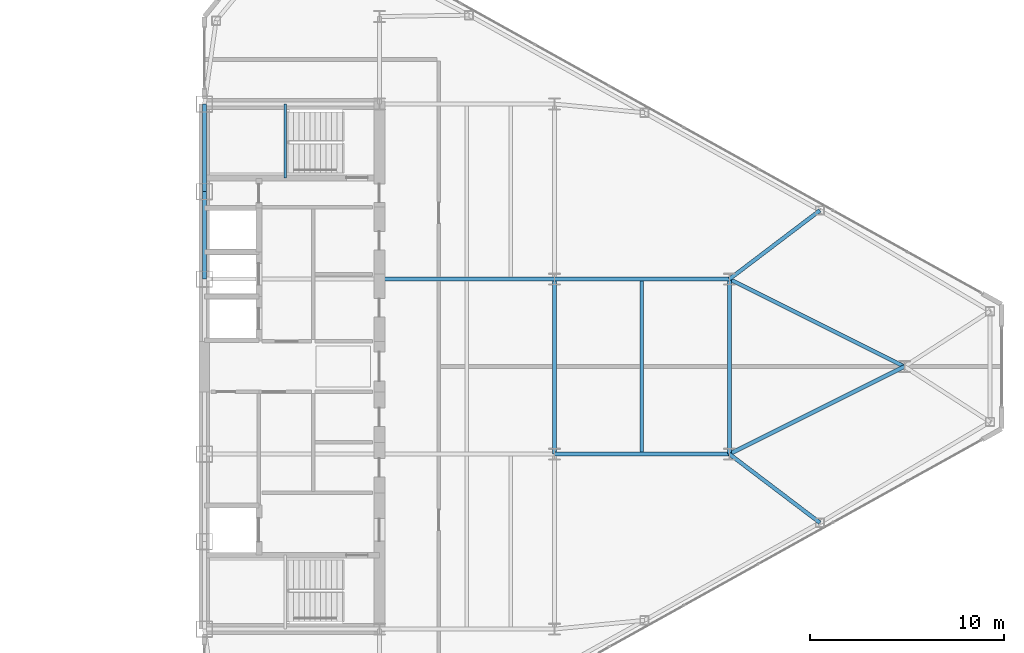
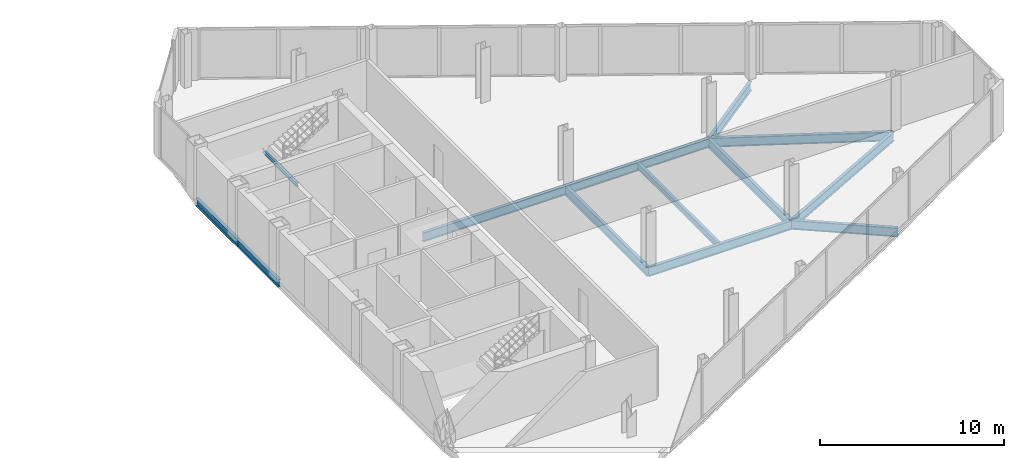
# One storey, part 14 of 26: 13 beams.
"""IFC4 building model written with IfcOpenShell, lengths in metres."""

import ifcopenshell
import ifcopenshell.guid

model = None  # the IFC model being written
_history = None  # IfcOwnerHistory: only IFC2X3 demands one
_inside = {}  # id of a spatial element -> (the spatial element, [elements in it])
_under = {}  # id of a project, library or spatial element -> (it, [spatial elements below it])
_declared = {}  # id of a project -> (the project, [libraries it declares])
_typed = {}  # id of a type object -> (the type object, [elements of that type])
_made_of = {}  # id of a material, layer set ... -> (it, [elements and type objects made of it])


def new_model(schema):
    """Start an empty IFC model of exactly this schema.

    Asked for "IFC4X3", IfcOpenShell would pick the latest addendum, in which some entities
    have other attributes; the version numbers below select the first issue.
    IFC2X3 requires an IfcOwnerHistory on every rooted entity: one is made here for all.
    """
    global model, _history
    if schema == "IFC4X3":
        model = ifcopenshell.file(schema_version=(4, 3, 0, 0))
    else:
        model = ifcopenshell.file(schema=schema)
    _inside.clear()
    _under.clear()
    _declared.clear()
    _typed.clear()
    _made_of.clear()
    _history = None
    if model.schema == "IFC2X3":
        org = make("IfcOrganization", Name="unknown")
        user = make(
            "IfcPersonAndOrganization",
            ThePerson=make("IfcPerson", FamilyName="unknown"),
            TheOrganization=org,
        )
        app = make(
            "IfcApplication",
            ApplicationDeveloper=org,
            Version="unknown",
            ApplicationFullName="unknown",
            ApplicationIdentifier="unknown",
        )
        _history = make(
            "IfcOwnerHistory",
            OwningUser=user,
            OwningApplication=app,
            ChangeAction="ADDED",
            CreationDate=0,
        )
    return model


def make(cls, **values):
    """One entity of the class cls with the attributes given. An attribute that is None is left unset."""
    return model.create_entity(
        cls, **{name: value for name, value in values.items() if value is not None}
    )


def rooted(cls, **values):
    """An entity with a GlobalId (a new one), such as an element, a storey or a relation."""
    return make(cls, GlobalId=ifcopenshell.guid.new(), OwnerHistory=_history, **values)


def si_unit(unit_type, name, prefix=None):
    """IfcSIUnit, for example si_unit("LENGTHUNIT", "METRE", prefix="MILLI")."""
    return make("IfcSIUnit", UnitType=unit_type, Prefix=prefix, Name=name)


def assignment(units):
    """IfcUnitAssignment: the units of a project."""
    return None if units is None else make("IfcUnitAssignment", Units=units)


def point(xyz):
    """IfcCartesianPoint."""
    return None if xyz is None else make("IfcCartesianPoint", Coordinates=xyz)


def direction(xyz):
    """IfcDirection."""
    return None if xyz is None else make("IfcDirection", DirectionRatios=xyz)


def frame(location, z_axis=None, x_axis=None):
    """IfcAxis2Placement3D, a coordinate frame: its origin and axes. An axis left out is left unset."""
    return make(
        "IfcAxis2Placement3D",
        Location=point(location),
        Axis=direction(z_axis),
        RefDirection=direction(x_axis),
    )


def frame_2d(location, x_axis=None):
    """IfcAxis2Placement2D, a coordinate frame in the plane: its origin and x axis."""
    return make(
        "IfcAxis2Placement2D", Location=point(location), RefDirection=direction(x_axis)
    )


def origin():
    """The frame at (0, 0, 0) with its axes left unset."""
    return frame((0.0, 0.0, 0.0))


def origin_2d():
    """The frame at (0, 0) in the plane with its x axis left unset."""
    return frame_2d((0.0, 0.0))


def place(relative_to, where):
    """IfcLocalPlacement: puts the frame where relative to a parent placement (None: the world)."""
    return make(
        "IfcLocalPlacement", PlacementRelTo=relative_to, RelativePlacement=where
    )


def context(
    kind, dimensions, precision=None, world=None, true_north=None, identifier=None
):
    """IfcGeometricRepresentationContext, for example the 3D "Model" context."""
    return make(
        "IfcGeometricRepresentationContext",
        ContextIdentifier=identifier,
        ContextType=kind,
        CoordinateSpaceDimension=dimensions,
        Precision=precision,
        WorldCoordinateSystem=world,
        TrueNorth=true_north,
    )


def subcontext(parent, identifier, kind, view, scale=None):
    """IfcGeometricRepresentationSubContext, for example "Body" below "Model"."""
    return make(
        "IfcGeometricRepresentationSubContext",
        ContextIdentifier=identifier,
        ContextType=kind,
        ParentContext=parent,
        TargetScale=scale,
        TargetView=view,
    )


def project(units=None, contexts=None):
    """IfcProject with its units and contexts."""
    return rooted(
        "IfcProject",
        Name="project",
        RepresentationContexts=contexts,
        UnitsInContext=assignment(units),
    )


def spatial(cls, under=None, at=None, **own):
    """A site, building, storey or space (cls), placed at a placement, below another one or the project."""
    s = rooted(cls, ObjectPlacement=at, **own)
    if under is not None:
        _under.setdefault(under.id(), (under, []))[1].append(s)
    return s


def profile(cls, at=None, kind="AREA", **sizes):
    """A parametric profile (cls). Its sizes go by their IFC names, for example OverallWidth=200.0."""
    return make(cls, ProfileType=kind, Position=at, **sizes)


def i_section(**sizes):
    """IfcIShapeProfileDef."""
    return profile("IfcIShapeProfileDef", **sizes)


def extrude(swept, where, along, depth):
    """IfcExtrudedAreaSolid: the profile swept, set in the frame where, extruded along a direction by depth."""
    return make(
        "IfcExtrudedAreaSolid",
        SweptArea=swept,
        Position=where,
        ExtrudedDirection=direction(along),
        Depth=depth,
    )


def shape(context_of_items, identifier, shape_type, items):
    """IfcShapeRepresentation: the items that make up one representation, for example the "Body"."""
    return make(
        "IfcShapeRepresentation",
        ContextOfItems=context_of_items,
        RepresentationIdentifier=identifier,
        RepresentationType=shape_type,
        Items=items,
    )


def source(mapping_origin, context_of_items, identifier, shape_type, items):
    """IfcRepresentationMap: a shape defined once, which mapped items show again and again."""
    return make(
        "IfcRepresentationMap",
        MappingOrigin=mapping_origin,
        MappedRepresentation=shape(context_of_items, identifier, shape_type, items),
    )


def transform(
    local_origin,
    x_axis=None,
    y_axis=None,
    z_axis=None,
    scale=None,
    scale2=None,
    scale3=None,
    uniform=True,
):
    """IfcCartesianTransformationOperator3D, or its non-uniform kind. x_axis, y_axis, z_axis: its Axis1, 2, 3."""
    if uniform:
        return make(
            "IfcCartesianTransformationOperator3D",
            Axis1=direction(x_axis),
            Axis2=direction(y_axis),
            LocalOrigin=point(local_origin),
            Scale=scale,
            Axis3=direction(z_axis),
        )
    return make(
        "IfcCartesianTransformationOperator3DnonUniform",
        Axis1=direction(x_axis),
        Axis2=direction(y_axis),
        LocalOrigin=point(local_origin),
        Scale=scale,
        Axis3=direction(z_axis),
        Scale2=scale2,
        Scale3=scale3,
    )


def mapped(mapping_source, mapping_target):
    """IfcMappedItem: shows the shape of a source again, moved by a transform."""
    return make(
        "IfcMappedItem", MappingSource=mapping_source, MappingTarget=mapping_target
    )


def material(Name=None, Category=None):
    """IfcMaterial."""
    return make("IfcMaterial", Name=Name, Category=Category)


def material_profile(
    of_material, cross_section, Name=None, Category=None, Priority=None
):
    """IfcMaterialProfile: a cross section and its material."""
    return make(
        "IfcMaterialProfile",
        Name=Name,
        Material=of_material,
        Profile=cross_section,
        Priority=Priority,
        Category=Category,
    )


def profile_set(profiles, Name=None, composite=None):
    """IfcMaterialProfileSet."""
    return make(
        "IfcMaterialProfileSet",
        Name=Name,
        MaterialProfiles=profiles,
        CompositeProfile=composite,
    )


def made_of(thing, what):
    """Note that an element or type object is made of a material, layer set ...; save() writes the relation."""
    if what is not None:
        _made_of.setdefault(what.id(), (what, []))[1].append(thing)
    return thing


def type_object(cls, material=None, **own):
    """A type object (cls), such as IfcWallType, which elements share."""
    return made_of(rooted(cls, **own), material)


def type_shapes(of_type, sources):
    """Give a type object the sources (RepresentationMaps) that its elements show as mapped items."""
    of_type.RepresentationMaps = sources


def element(
    cls,
    number,
    at=None,
    inside=None,
    cuts=None,
    type_object=None,
    material=None,
    context=None,
    identifier="Body",
    shape_type=None,
    held_by="IfcProductDefinitionShape",
    body=None,
    shapes=None,
    **own,
):
    """One element of the class cls, such as IfcWall. Its Tag is "e" and its number.

    at: its placement. inside: the storey or other place that contains it. cuts: it is an
    opening in that element (IfcRelVoidsElement). A single representation is given by context,
    identifier, shape_type and body (its items); several are given by shapes. held_by: the class
    of the entity that holds the representations. save() writes the other relations.
    """
    e = rooted(cls, Tag="e%d" % number, ObjectPlacement=at, **own)
    if body is not None:
        shapes = [shape(context, identifier, shape_type, body)]
    if shapes is not None:
        e.Representation = make(held_by, Representations=shapes)
    if inside is not None:
        _inside.setdefault(inside.id(), (inside, []))[1].append(e)
    if cuts is not None:
        rooted(
            "IfcRelVoidsElement", RelatingBuildingElement=cuts, RelatedOpeningElement=e
        )
    if type_object is not None:
        _typed.setdefault(type_object.id(), (type_object, []))[1].append(e)
    return made_of(e, material)


def aggregate(whole, parts):
    """IfcRelAggregates: a whole, such as a stair, and the parts it consists of."""
    return rooted("IfcRelAggregates", RelatingObject=whole, RelatedObjects=parts)


def save(model, path):
    """Write the relations noted so far, then the file.

    IfcRelAggregates (storeys below a building ...), IfcRelContainedInSpatialStructure (elements
    in a storey), IfcRelDefinesByType, IfcRelAssociatesMaterial and IfcRelDeclares: one each for
    every whole, place, type object, material and project.
    """
    for whole, parts in _under.values():
        aggregate(whole, parts)
    for where, things in _inside.values():
        rooted(
            "IfcRelContainedInSpatialStructure",
            RelatedElements=things,
            RelatingStructure=where,
        )
    for kind, things in _typed.values():
        rooted("IfcRelDefinesByType", RelatedObjects=things, RelatingType=kind)
    for what, things in _made_of.values():
        rooted("IfcRelAssociatesMaterial", RelatedObjects=things, RelatingMaterial=what)
    for by, libraries in _declared.values():
        rooted("IfcRelDeclares", RelatingContext=by, RelatedDefinitions=libraries)
    model.write(path)


model = new_model("IFC4")

# Units and contexts
model_context = context("Model", 3, precision=1e-05, world=origin(), true_north=direction((0.0, 1.0)))
body_context = subcontext(model_context, "Body", "Model", "MODEL_VIEW")
ifc_project = project(units=[si_unit("LENGTHUNIT", "METRE"), si_unit("AREAUNIT", "SQUARE_METRE"), si_unit("VOLUMEUNIT", "CUBIC_METRE"), si_unit("PLANEANGLEUNIT", "RADIAN"), si_unit("MASSUNIT", "GRAM", prefix="KILO")], contexts=[model_context])

# Site, building, storey
site_placement = place(None, origin())
site = spatial("IfcSite", under=ifc_project, at=site_placement, CompositionType="ELEMENT")
building_placement = place(site_placement, origin())
building = spatial("IfcBuilding", under=site, at=building_placement, Name="Seokmaru Belvedere", CompositionType="ELEMENT")
storey_placement = place(building_placement, frame((0.0, 0.0, 177.89990234375)))
storey = spatial("IfcBuildingStorey", under=building, at=storey_placement, Name="L47", CompositionType="ELEMENT", Elevation=177.89990234375)

# Beams
ifc_material = material(Name="Steel SM355 (355 MPa)", Category="steel")
ifc_material_profile_1 = material_profile(ifc_material, i_section(OverallWidth=0.199951171875, OverallDepth=0.5, WebThickness=0.010009765625, FlangeThickness=0.01611328125, at=origin_2d()), Name="H-500x200x10x16")
ifc_profile_set_1 = profile_set([ifc_material_profile_1], Name="Steel SM355 (355 MPa)")
beam_type_1 = type_object("IfcBeamType", Name="Perimeter Spandrel Beam H-500", PredefinedType="SPANDREL", material=ifc_profile_set_1)
shared_shape_1 = source(origin(), body_context, "Body", "SweptSolid", [
    extrude(i_section(OverallWidth=0.199951171875, OverallDepth=0.5, WebThickness=0.010009765625, FlangeThickness=0.01611328125, at=origin_2d()), origin(), (0.0, 0.0, 1.0), 4.5),
])
type_shapes(beam_type_1, [shared_shape_1])
for number, where, z_axis, x_axis, name in (
    (1, (27.5, 4.5, -0.469970703125), (0.0, 1.0, 0.0), (-1.0, 0.0, 0.0), "L47 E Portal Spine Spandrel 4"),
    (2, (27.5, 9.0, -0.469970703125), (0.0, 1.0, 0.0), (-1.0, 0.0, 0.0), "L47 E Portal Spine Spandrel 5"),
):
    element("IfcBeam", number, at=place(storey_placement, frame(where, z_axis=z_axis, x_axis=x_axis)), inside=storey, type_object=beam_type_1, Name=name, PredefinedType="SPANDREL", context=body_context, shape_type="MappedRepresentation", body=[
        mapped(shared_shape_1, transform((0.0, 0.0, 0.0), scale=1.0)),
    ])
ifc_material_profile_2 = material_profile(ifc_material, i_section(OverallWidth=0.199951171875, OverallDepth=0.60009765625, WebThickness=0.010986328125, FlangeThickness=0.01708984375, at=origin_2d()), Name="H-600x200x11x17")
ifc_profile_set_2 = profile_set([ifc_material_profile_2], Name="Steel SM355 (355 MPa)")
beam_type_2 = type_object("IfcBeamType", Name="Primary Floor Girder H-600", PredefinedType="BEAM", material=ifc_profile_set_2)
shared_shape_2 = source(origin(), body_context, "Body", "SweptSolid", [
    extrude(i_section(OverallWidth=0.199951171875, OverallDepth=0.60009765625, WebThickness=0.010986328125, FlangeThickness=0.01708984375, at=origin_2d()), origin(), (0.0, 0.0, 1.0), 9.0),
])
for number, where, z_axis, x_axis, name in (
    (3, (45.5, -4.5, -0.52001953125), (0.0, 1.0, 0.0), (-1.0, 0.0, 0.0), "L47 E Interior Grid Girder 2"),
    (4, (36.5, 4.5, -0.52001953125), (1.0, 0.0, 0.0), (0.0, 1.0, 0.0), "L47 E Wing Primary Girder 3"),
    (5, (45.5, -4.5, -0.52001953125), (1.0, 0.0, 0.0), (0.0, 1.0, 0.0), "L47 E Outer Wing Girder 1"),
    (6, (45.5, 4.5, -0.52001953125), (1.0, 0.0, 0.0), (0.0, 1.0, 0.0), "L47 E Outer Wing Girder 2"),
    (7, (54.5, -4.5, -0.52001953125), (0.0, 1.0, 0.0), (-1.0, 0.0, 0.0), "L47 E Apex Frame Girder"),
):
    element("IfcBeam", number, at=place(storey_placement, frame(where, z_axis=z_axis, x_axis=x_axis)), inside=storey, type_object=beam_type_2, Name=name, PredefinedType="BEAM", context=body_context, shape_type="MappedRepresentation", body=[
        mapped(shared_shape_2, transform((0.0, 0.0, 0.0), scale=1.0)),
    ])
shared_shape_3 = source(origin(), body_context, "Body", "SweptSolid", [
    extrude(i_section(OverallWidth=0.199951171875, OverallDepth=0.60009765625, WebThickness=0.010986328125, FlangeThickness=0.01708984375, at=origin_2d()), origin(), (0.0, 0.0, 1.0), 10.062255859375),
])
for number, where, z_axis, x_axis, name in (
    (8, (54.5, -4.5, -0.52001953125), (0.894427191, 0.4472135955, 0.0), (-0.4472135955, 0.894427191, 0.0), "L47 E Apex Converging Girder 1"),
    (9, (54.5, 4.5, -0.52001953125), (0.894427191, -0.4472135955, 0.0), (0.4472135955, 0.894427191, 0.0), "L47 E Apex Converging Girder 2"),
):
    element("IfcBeam", number, at=place(storey_placement, frame(where, z_axis=z_axis, x_axis=x_axis)), inside=storey, type_object=beam_type_2, Name=name, PredefinedType="BEAM", context=body_context, shape_type="MappedRepresentation", body=[
        mapped(shared_shape_3, transform((0.0, 0.0, 0.0), scale=1.0)),
    ])
ifc_material_profile_3 = material_profile(ifc_material, i_section(OverallWidth=0.18505859375, OverallDepth=0.389892578125, WebThickness=0.008056640625, FlangeThickness=0.011962890625, at=origin_2d()), Name="H-390x185x8x12")
ifc_profile_set_3 = profile_set([ifc_material_profile_3], Name="Steel SM355 (355 MPa)")
beam_type_3 = type_object("IfcBeamType", Name="Secondary Floor Joist H-350", PredefinedType="JOIST", material=ifc_profile_set_3)
shared_shape_4 = source(origin(), body_context, "Body", "SweptSolid", [
    extrude(i_section(OverallWidth=0.18505859375, OverallDepth=0.389892578125, WebThickness=0.008056640625, FlangeThickness=0.011962890625, at=origin_2d()), origin(), (0.0, 0.0, 1.0), 8.7900390625),
])
type_shapes(beam_type_3, [shared_shape_4])
beam_1_placement = place(storey_placement, frame((50.0, -4.39501953125, -0.414794921875), z_axis=(0.0, 1.0, 0.0), x_axis=(-1.0, 0.0, 0.0)))
element("IfcBeam", 10, at=beam_1_placement, inside=storey, type_object=beam_type_3, Name="L47 E Outer Bay Secondary Joist", PredefinedType="JOIST", context=body_context, shape_type="MappedRepresentation", body=[
    mapped(shared_shape_4, transform((0.0, 0.0, 0.0), scale=1.0)),
])
shared_shape_5 = source(origin(), body_context, "Body", "SweptSolid", [
    extrude(i_section(OverallWidth=0.199951171875, OverallDepth=0.60009765625, WebThickness=0.010986328125, FlangeThickness=0.01708984375, at=origin_2d()), origin(), (0.0, 0.0, 1.0), 5.842529296875),
])
type_shapes(beam_type_2, [shared_shape_2, shared_shape_3, shared_shape_5])
for number, where, z_axis, x_axis, name in (
    (11, (59.154541015625, -8.031494140625, -0.52001953125), (-0.796653109879, 0.604436781243, 0.0), (-0.604436781243, -0.796653109879, 0.0), "L47 E Flank Radial Floor Girder S-3"),
    (12, (59.154541015625, 8.031494140625, -0.52001953125), (-0.796653109879, -0.604436781243, 0.0), (0.604436781243, -0.796653109879, 0.0), "L47 E Flank Radial Floor Girder N-3"),
):
    element("IfcBeam", number, at=place(storey_placement, frame(where, z_axis=z_axis, x_axis=x_axis)), inside=storey, type_object=beam_type_2, Name=name, PredefinedType="BEAM", context=body_context, shape_type="MappedRepresentation", body=[
        mapped(shared_shape_5, transform((0.0, 0.0, 0.0), scale=1.0)),
    ])
ifc_material_profile_4 = material_profile(ifc_material, i_section(OverallWidth=0.125, OverallDepth=0.25, WebThickness=0.006103515625, FlangeThickness=0.009033203125, at=origin_2d()), Name="H-250x125x6x9")
ifc_profile_set_4 = profile_set([ifc_material_profile_4], Name="Steel SM355 (355 MPa)")
beam_type_4 = type_object("IfcBeamType", Name="Stair Mid-Landing Support Beam H-250", PredefinedType="JOIST", material=ifc_profile_set_4)
shared_shape_6 = source(origin(), body_context, "Body", "SweptSolid", [
    extrude(i_section(OverallWidth=0.125, OverallDepth=0.25, WebThickness=0.006103515625, FlangeThickness=0.009033203125, at=origin_2d()), origin(), (0.0, 0.0, 1.0), 3.800048828125),
])
type_shapes(beam_type_4, [shared_shape_6])
beam_2_placement = place(storey_placement, frame((31.64990234375, 9.699951171875, 1.47509765625), z_axis=(0.0, 1.0, 0.0), x_axis=(-1.0, 0.0, 0.0)))
element("IfcBeam", 13, at=beam_2_placement, inside=storey, type_object=beam_type_4, Name="L47 Stair ST-E2 Mid-Landing Support Beam 1", PredefinedType="JOIST", context=body_context, shape_type="MappedRepresentation", body=[
    mapped(shared_shape_6, transform((0.0, 0.0, 0.0), scale=1.0)),
])

save(model, "model.ifc")
